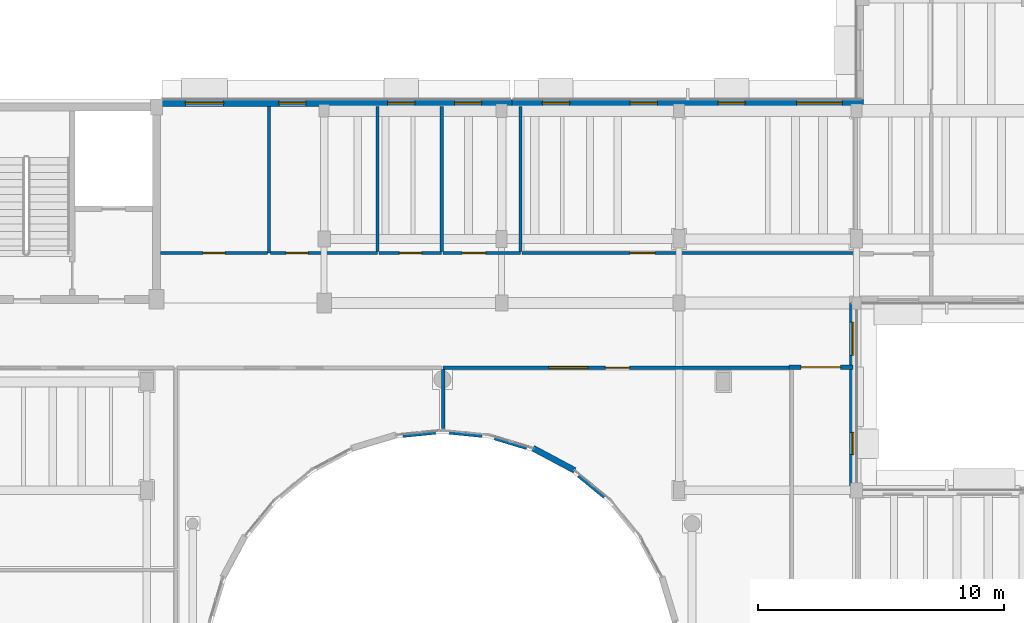
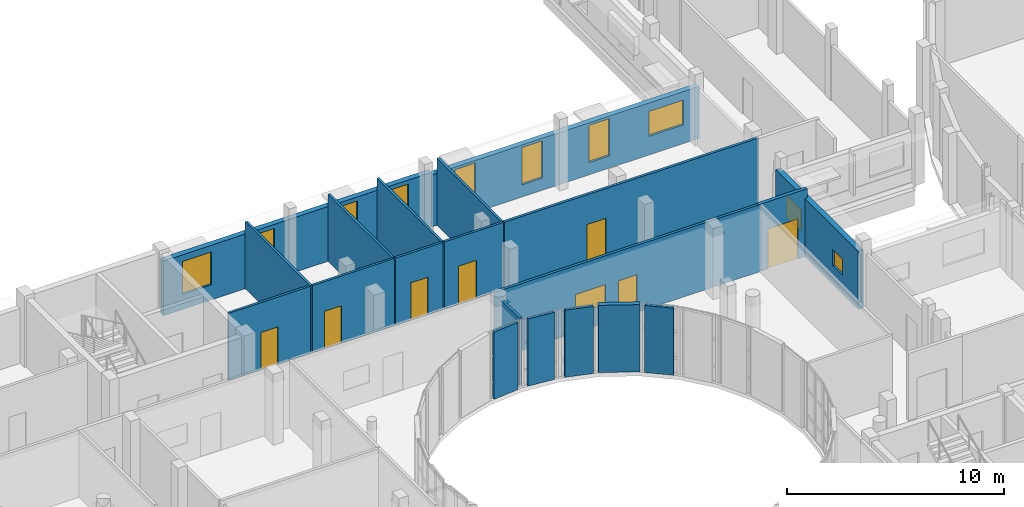
# One storey, part 84 of 105: 20 walls, 11 windows, 7 doors, 18 openings.
"""IFC4 building model written with IfcOpenShell, lengths in metres."""

from ifc_helpers import new_model, si_unit, direction, frame, frame_2d, origin, place, context, subcontext, project, spatial, rectangle, extrude, material, layer, layer_set, type_object, element, fill, save


model = new_model("IFC4")

# Units and contexts
model_context = context("Model", 3, precision=1e-05, world=origin(), true_north=direction((0.0, 1.0)))
body_context = subcontext(model_context, "Body", "Model", "MODEL_VIEW")
ifc_project = project(units=[si_unit("LENGTHUNIT", "METRE"), si_unit("AREAUNIT", "SQUARE_METRE"), si_unit("VOLUMEUNIT", "CUBIC_METRE"), si_unit("PLANEANGLEUNIT", "RADIAN"), si_unit("MASSUNIT", "GRAM", prefix="KILO")], contexts=[model_context])

# Site, building, storey
site_placement = place(None, origin())
site = spatial("IfcSite", under=ifc_project, at=site_placement, CompositionType="ELEMENT")
building_placement = place(site_placement, origin())
building = spatial("IfcBuilding", under=site, at=building_placement, Name="Kelanivale Promenade Academy", CompositionType="ELEMENT")
storey_placement = place(building_placement, frame((0.0, 0.0, 4.199951171875)))
storey = spatial("IfcBuildingStorey", under=building, at=storey_placement, Name="L01", CompositionType="ELEMENT", Elevation=4.199951171875)

# Wall, openings, windows
ifc_material_1 = material(Name="Insulated ivory stucco masonry wall 280 mm", Category="masonry")
ifc_layer_1 = layer(ifc_material_1, 0.280029296875)
ifc_layer_set_1 = layer_set([ifc_layer_1], Name="Insulated ivory stucco masonry wall 280 mm")
wall_type_1 = type_object("IfcWallType", Name="EW-02 Wall 280mm", PredefinedType="SOLIDWALL", material=ifc_layer_set_1)
wall_1_placement = place(storey_placement, frame((115.4599609375, 64.0, 0.0), z_axis=(0.0, 0.0, 1.0), x_axis=(0.0, 1.0, 0.0)))
wall_1 = element("IfcWall", 1, at=wall_1_placement, inside=storey, type_object=wall_type_1, Name="L01 exterior facade wall EW-L01-ORT-0367", PredefinedType="SOLIDWALL", context=body_context, shape_type="SweptSolid", body=[
    extrude(rectangle(XDim=7.60009765625, YDim=0.280029296875, at=frame_2d((3.800048828125, 0.0))), origin(), (0.0, 0.0, 1.0), 3.275146484375),
])
opening_1_placement = place(wall_1_placement, frame((1.449951171875, 0.0, 1.050048828125)))
opening_1 = element("IfcOpeningElement", 2, at=opening_1_placement, cuts=wall_1, Name="Opening WT-10", PredefinedType="OPENING", context=body_context, shape_type="SweptSolid", body=[
    extrude(rectangle(XDim=0.89990234375, YDim=0.89990234375, at=frame_2d((0.449951171875, 0.449951171875))), frame((0.0, 0.14990234375, 0.0), z_axis=(0.0, -1.0, 0.0), x_axis=(1.0, 0.0, 0.0)), (0.0, 0.0, 1.0), 0.300048828125),
])
opening_2_placement = place(wall_1_placement, frame((5.47509765625, 0.0, 1.050048828125)))
opening_2 = element("IfcOpeningElement", 3, at=opening_2_placement, cuts=wall_1, Name="Opening WT-34", PredefinedType="OPENING", context=body_context, shape_type="SweptSolid", body=[
    extrude(rectangle(XDim=1.35009765625, YDim=1.199951171875, at=frame_2d((0.675048828125, 0.60009765625))), frame((0.0, 0.14990234375, 0.0), z_axis=(0.0, -1.0, 0.0), x_axis=(1.0, 0.0, 0.0)), (0.0, 0.0, 1.0), 0.300048828125),
])
ifc_material_2 = material(Name="Bronze anodised aluminium frame with low-E laminated glass", Category="aluminium")
window_type_1 = type_object("IfcWindowType", Name="WT-10 Window 900x900", PartitioningType="SINGLE_PANEL", PredefinedType="WINDOW", material=ifc_material_2)
window_1_placement = place(opening_1_placement, origin())
window_1 = element("IfcWindow", 4, at=window_1_placement, inside=storey, type_object=window_type_1, Name="Window WT-10", OverallHeight=0.89990234375, OverallWidth=0.89990234375, PartitioningType="SINGLE_PANEL", PredefinedType="WINDOW", context=body_context, shape_type="SweptSolid", body=[
    extrude(rectangle(XDim=0.89990234375, YDim=0.89990234375, at=frame_2d((0.449951171875, 0.449951171875))), frame((0.0, 0.030029296875, 0.0), z_axis=(0.0, -1.0, 0.0), x_axis=(1.0, 0.0, 0.0)), (0.0, 0.0, 1.0), 0.06005859375),
])
fill(opening_1, window_1)
window_type_2 = type_object("IfcWindowType", Name="WT-34 Window 1350x1200", PartitioningType="SINGLE_PANEL", PredefinedType="WINDOW", material=ifc_material_2)
window_2_placement = place(opening_2_placement, origin())
window_2 = element("IfcWindow", 5, at=window_2_placement, inside=storey, type_object=window_type_2, Name="Window WT-34", OverallHeight=1.199951171875, OverallWidth=1.35009765625, PartitioningType="SINGLE_PANEL", PredefinedType="WINDOW", context=body_context, shape_type="SweptSolid", body=[
    extrude(rectangle(XDim=1.35009765625, YDim=1.199951171875, at=frame_2d((0.675048828125, 0.60009765625))), frame((0.0, 0.030029296875, 0.0), z_axis=(0.0, -1.0, 0.0), x_axis=(1.0, 0.0, 0.0)), (0.0, 0.0, 1.0), 0.06005859375),
])
fill(opening_2, window_2)

wall_2_placement = place(storey_placement, frame((115.8798828125, 79.7099609375, 0.0), z_axis=(0.0, 0.0, 1.0), x_axis=(-1.0, 0.0, 0.0)))
wall_2 = element("IfcWall", 6, at=wall_2_placement, inside=storey, type_object=wall_type_1, Name="L01 exterior facade wall EW-L01-ORT-0380", PredefinedType="SOLIDWALL", context=body_context, shape_type="SweptSolid", body=[
    extrude(rectangle(XDim=14.2568359375, YDim=0.280029296875, at=frame_2d((7.12841796875, 0.0))), origin(), (0.0, 0.0, 1.0), 2.925048828125),
])
opening_3_placement = place(wall_2_placement, frame((0.85693359375, 0.0, 1.050048828125)))
opening_3 = element("IfcOpeningElement", 7, at=opening_3_placement, cuts=wall_2, Name="Opening WT-36", PredefinedType="OPENING", context=body_context, shape_type="SweptSolid", body=[
    extrude(rectangle(XDim=1.85009765625, YDim=1.39990234375, at=frame_2d((0.925048828125, 0.699951171875))), frame((0.0, 0.14990234375, 0.0), z_axis=(0.0, -1.0, 0.0), x_axis=(1.0, 0.0, 0.0)), (0.0, 0.0, 1.0), 0.300048828125),
])
opening_4_placement = place(wall_2_placement, frame((4.7958984375, 0.0, 0.68505859375)))
opening_4 = element("IfcOpeningElement", 8, at=opening_4_placement, cuts=wall_2, Name="Opening WT-17", PredefinedType="OPENING", context=body_context, shape_type="SweptSolid", body=[
    extrude(rectangle(XDim=1.10009765625, YDim=2.10009765625, at=frame_2d((0.550048828125, 1.050048828125))), frame((0.0, 0.14990234375, 0.0), z_axis=(0.0, -1.0, 0.0), x_axis=(1.0, 0.0, 0.0)), (0.0, 0.0, 1.0), 0.300048828125),
])
opening_5_placement = place(wall_2_placement, frame((8.361083984375, 0.0, 0.68505859375)))
opening_5 = element("IfcOpeningElement", 9, at=opening_5_placement, cuts=wall_2, Name="Opening WT-17", PredefinedType="OPENING", context=body_context, shape_type="SweptSolid", body=[
    extrude(rectangle(XDim=1.10009765625, YDim=2.10009765625, at=frame_2d((0.550048828125, 1.050048828125))), frame((0.0, 0.14990234375, 0.0), z_axis=(0.0, -1.0, 0.0), x_axis=(1.0, 0.0, 0.0)), (0.0, 0.0, 1.0), 0.300048828125),
])
opening_6_placement = place(wall_2_placement, frame((11.925048828125, 0.0, 0.68505859375)))
opening_6 = element("IfcOpeningElement", 10, at=opening_6_placement, cuts=wall_2, Name="Opening WT-17", PredefinedType="OPENING", context=body_context, shape_type="SweptSolid", body=[
    extrude(rectangle(XDim=1.10009765625, YDim=2.10009765625, at=frame_2d((0.550048828125, 1.050048828125))), frame((0.0, 0.14990234375, 0.0), z_axis=(0.0, -1.0, 0.0), x_axis=(1.0, 0.0, 0.0)), (0.0, 0.0, 1.0), 0.300048828125),
])
window_type_3 = type_object("IfcWindowType", Name="WT-17 Window 1100x2100", PartitioningType="SINGLE_PANEL", PredefinedType="WINDOW", material=ifc_material_2)
window_3_placement = place(opening_4_placement, origin())
window_3 = element("IfcWindow", 11, at=window_3_placement, inside=storey, type_object=window_type_3, Name="Window WT-17", OverallHeight=2.10009765625, OverallWidth=1.10009765625, PartitioningType="SINGLE_PANEL", PredefinedType="WINDOW", context=body_context, shape_type="SweptSolid", body=[
    extrude(rectangle(XDim=1.10009765625, YDim=2.10009765625, at=frame_2d((0.550048828125, 1.050048828125))), frame((0.0, 0.030029296875, 0.0), z_axis=(0.0, -1.0, 0.0), x_axis=(1.0, 0.0, 0.0)), (0.0, 0.0, 1.0), 0.06005859375),
])
fill(opening_4, window_3)
window_4_placement = place(opening_5_placement, origin())
window_4 = element("IfcWindow", 12, at=window_4_placement, inside=storey, type_object=window_type_3, Name="Window WT-17", OverallHeight=2.10009765625, OverallWidth=1.10009765625, PartitioningType="SINGLE_PANEL", PredefinedType="WINDOW", context=body_context, shape_type="SweptSolid", body=[
    extrude(rectangle(XDim=1.10009765625, YDim=2.10009765625, at=frame_2d((0.550048828125, 1.050048828125))), frame((0.0, 0.030029296875, 0.0), z_axis=(0.0, -1.0, 0.0), x_axis=(1.0, 0.0, 0.0)), (0.0, 0.0, 1.0), 0.06005859375),
])
fill(opening_5, window_4)
window_5_placement = place(opening_6_placement, origin())
window_5 = element("IfcWindow", 13, at=window_5_placement, inside=storey, type_object=window_type_3, Name="Window WT-17", OverallHeight=2.10009765625, OverallWidth=1.10009765625, PartitioningType="SINGLE_PANEL", PredefinedType="WINDOW", context=body_context, shape_type="SweptSolid", body=[
    extrude(rectangle(XDim=1.10009765625, YDim=2.10009765625, at=frame_2d((0.550048828125, 1.050048828125))), frame((0.0, 0.030029296875, 0.0), z_axis=(0.0, -1.0, 0.0), x_axis=(1.0, 0.0, 0.0)), (0.0, 0.0, 1.0), 0.06005859375),
])
fill(opening_6, window_5)
window_type_4 = type_object("IfcWindowType", Name="WT-36 Window 1850x1400", PartitioningType="SINGLE_PANEL", PredefinedType="WINDOW", material=ifc_material_2)
window_6_placement = place(opening_3_placement, origin())
window_6 = element("IfcWindow", 14, at=window_6_placement, inside=storey, type_object=window_type_4, Name="Window WT-36", OverallHeight=1.39990234375, OverallWidth=1.85009765625, PartitioningType="SINGLE_PANEL", PredefinedType="WINDOW", context=body_context, shape_type="SweptSolid", body=[
    extrude(rectangle(XDim=1.85009765625, YDim=1.39990234375, at=frame_2d((0.925048828125, 0.699951171875))), frame((0.0, 0.030029296875, 0.0), z_axis=(0.0, -1.0, 0.0), x_axis=(1.0, 0.0, 0.0)), (0.0, 0.0, 1.0), 0.06005859375),
])
fill(opening_3, window_6)

wall_3_placement = place(storey_placement, frame((101.623046875, 79.7099609375, 0.0), z_axis=(0.0, 0.0, 1.0), x_axis=(-1.0, 0.0, 0.0)))
wall_3 = element("IfcWall", 15, at=wall_3_placement, inside=storey, type_object=wall_type_1, Name="L01 exterior facade wall EW-L01-ORT-0381", PredefinedType="SOLIDWALL", context=body_context, shape_type="SweptSolid", body=[
    extrude(rectangle(XDim=14.258056640625, YDim=0.280029296875, at=frame_2d((7.12890625, 0.0))), origin(), (0.0, 0.0, 1.0), 3.074951171875),
])
opening_7_placement = place(wall_3_placement, frame((1.23193359375, 0.0, 0.75)))
opening_7 = element("IfcOpeningElement", 16, at=opening_7_placement, cuts=wall_3, Name="Opening WT-17", PredefinedType="OPENING", context=body_context, shape_type="SweptSolid", body=[
    extrude(rectangle(XDim=1.10009765625, YDim=2.10009765625, at=frame_2d((0.550048828125, 1.050048828125))), frame((0.0, 0.14990234375, 0.0), z_axis=(0.0, -1.0, 0.0), x_axis=(1.0, 0.0, 0.0)), (0.0, 0.0, 1.0), 0.300048828125),
])
opening_8_placement = place(wall_3_placement, frame((3.947021484375, 0.0, 0.75)))
opening_8 = element("IfcOpeningElement", 17, at=opening_8_placement, cuts=wall_3, Name="Opening WT-17", PredefinedType="OPENING", context=body_context, shape_type="SweptSolid", body=[
    extrude(rectangle(XDim=1.10009765625, YDim=2.10009765625, at=frame_2d((0.550048828125, 1.050048828125))), frame((0.0, 0.14990234375, 0.0), z_axis=(0.0, -1.0, 0.0), x_axis=(1.0, 0.0, 0.0)), (0.0, 0.0, 1.0), 0.300048828125),
])
opening_9_placement = place(wall_3_placement, frame((8.361083984375, 0.0, 0.75)))
opening_9 = element("IfcOpeningElement", 18, at=opening_9_placement, cuts=wall_3, Name="Opening WT-17", PredefinedType="OPENING", context=body_context, shape_type="SweptSolid", body=[
    extrude(rectangle(XDim=1.10009765625, YDim=2.10009765625, at=frame_2d((0.550048828125, 1.050048828125))), frame((0.0, 0.14990234375, 0.0), z_axis=(0.0, -1.0, 0.0), x_axis=(1.0, 0.0, 0.0)), (0.0, 0.0, 1.0), 0.300048828125),
])
opening_10_placement = place(wall_3_placement, frame((11.700927734375, 0.0, 0.85009765625)))
opening_10 = element("IfcOpeningElement", 19, at=opening_10_placement, cuts=wall_3, Name="Opening WT-31", PredefinedType="OPENING", context=body_context, shape_type="SweptSolid", body=[
    extrude(rectangle(XDim=1.550048828125, YDim=1.85009765625, at=frame_2d((0.77490234375, 0.925048828125))), frame((0.0, 0.14990234375, 0.0), z_axis=(0.0, -1.0, 0.0), x_axis=(1.0, 0.0, 0.0)), (0.0, 0.0, 1.0), 0.300048828125),
])
window_7_placement = place(opening_7_placement, origin())
window_7 = element("IfcWindow", 20, at=window_7_placement, inside=storey, type_object=window_type_3, Name="Window WT-17", OverallHeight=2.10009765625, OverallWidth=1.10009765625, PartitioningType="SINGLE_PANEL", PredefinedType="WINDOW", context=body_context, shape_type="SweptSolid", body=[
    extrude(rectangle(XDim=1.10009765625, YDim=2.10009765625, at=frame_2d((0.550048828125, 1.050048828125))), frame((0.0, 0.030029296875, 0.0), z_axis=(0.0, -1.0, 0.0), x_axis=(1.0, 0.0, 0.0)), (0.0, 0.0, 1.0), 0.06005859375),
])
fill(opening_7, window_7)
window_8_placement = place(opening_8_placement, origin())
window_8 = element("IfcWindow", 21, at=window_8_placement, inside=storey, type_object=window_type_3, Name="Window WT-17", OverallHeight=2.10009765625, OverallWidth=1.10009765625, PartitioningType="SINGLE_PANEL", PredefinedType="WINDOW", context=body_context, shape_type="SweptSolid", body=[
    extrude(rectangle(XDim=1.10009765625, YDim=2.10009765625, at=frame_2d((0.550048828125, 1.050048828125))), frame((0.0, 0.030029296875, 0.0), z_axis=(0.0, -1.0, 0.0), x_axis=(1.0, 0.0, 0.0)), (0.0, 0.0, 1.0), 0.06005859375),
])
fill(opening_8, window_8)
window_9_placement = place(opening_9_placement, origin())
window_9 = element("IfcWindow", 22, at=window_9_placement, inside=storey, type_object=window_type_3, Name="Window WT-17", OverallHeight=2.10009765625, OverallWidth=1.10009765625, PartitioningType="SINGLE_PANEL", PredefinedType="WINDOW", context=body_context, shape_type="SweptSolid", body=[
    extrude(rectangle(XDim=1.10009765625, YDim=2.10009765625, at=frame_2d((0.550048828125, 1.050048828125))), frame((0.0, 0.030029296875, 0.0), z_axis=(0.0, -1.0, 0.0), x_axis=(1.0, 0.0, 0.0)), (0.0, 0.0, 1.0), 0.06005859375),
])
fill(opening_9, window_9)
window_type_5 = type_object("IfcWindowType", Name="WT-31 Window 1550x1850", PartitioningType="SINGLE_PANEL", PredefinedType="WINDOW", material=ifc_material_2)
window_10_placement = place(opening_10_placement, origin())
window_10 = element("IfcWindow", 23, at=window_10_placement, inside=storey, type_object=window_type_5, Name="Window WT-31", OverallHeight=1.85009765625, OverallWidth=1.550048828125, PartitioningType="SINGLE_PANEL", PredefinedType="WINDOW", context=body_context, shape_type="SweptSolid", body=[
    extrude(rectangle(XDim=1.550048828125, YDim=1.85009765625, at=frame_2d((0.77490234375, 0.925048828125))), frame((0.0, 0.030029296875, 0.0), z_axis=(0.0, -1.0, 0.0), x_axis=(1.0, 0.0, 0.0)), (0.0, 0.0, 1.0), 0.06005859375),
])
fill(opening_10, window_10)

# Wall
ifc_material_3 = material(Name="Insulated courtyard stucco masonry wall 240 mm", Category="masonry")
ifc_layer_2 = layer(ifc_material_3, 0.239990234375)
ifc_layer_set_2 = layer_set([ifc_layer_2], Name="Insulated courtyard stucco masonry wall 240 mm")
wall_type_2 = type_object("IfcWallType", Name="EW-04 Wall 240mm", PredefinedType="SOLIDWALL", material=ifc_layer_set_2)
wall_4_placement = place(storey_placement, frame((104.166015625, 64.81005859375, 0.0), z_axis=(0.0, 0.0, 1.0), x_axis=(-0.881893245259, 0.471449153109, 0.0)))
element("IfcWall", 24, at=wall_4_placement, inside=storey, type_object=wall_type_2, Name="L01 round courtyard stucco wall", PredefinedType="SOLIDWALL", context=body_context, shape_type="SweptSolid", body=[
    extrude(rectangle(XDim=1.912841796875, YDim=0.239990234375, at=frame_2d((0.95654296875, 0.0))), origin(), (0.0, 0.0, 1.0), 3.780029296875),
])

# Wall, opening, door
ifc_material_4 = material(Name="Autoclaved masonry blockwork 180 mm", Category="masonry")
ifc_layer_3 = layer(ifc_material_4, 0.179931640625)
ifc_layer_set_3 = layer_set([ifc_layer_3], Name="Autoclaved masonry blockwork 180 mm")
wall_type_3 = type_object("IfcWallType", Name="IW-02 Wall 180mm", PredefinedType="PARTITIONING", material=ifc_layer_set_3)
wall_5_placement = place(storey_placement, frame((112.85009765625, 69.0, 0.0), z_axis=(0.0, 0.0, 1.0), x_axis=(1.0, 0.0, 0.0)))
wall_5 = element("IfcWall", 25, at=wall_5_placement, inside=storey, type_object=wall_type_3, Name="L01 cross-corridor fire wall", PredefinedType="PARTITIONING", context=body_context, shape_type="SweptSolid", body=[
    extrude(rectangle(XDim=2.60888671875, YDim=0.179931640625, at=frame_2d((1.304443359375, 0.0))), origin(), (0.0, 0.0, 1.0), 3.780029296875),
])
opening_11_placement = place(wall_5_placement, frame((0.5048828125, 0.0, 0.0)))
opening_11 = element("IfcOpeningElement", 26, at=opening_11_placement, cuts=wall_5, Name="Opening FD-L01-CC-064", PredefinedType="OPENING", context=body_context, shape_type="SweptSolid", body=[
    extrude(rectangle(XDim=1.60009765625, YDim=2.25, at=frame_2d((0.800048828125, 1.125))), frame((0.0, 0.10009765625, 0.0), z_axis=(0.0, -1.0, 0.0), x_axis=(1.0, 0.0, 0.0)), (0.0, 0.0, 1.0), 0.199951171875),
])
ifc_material_5 = material(Name="Fire-rated steel-core teak veneer", Category="steel")
door_type_1 = type_object("IfcDoorType", Name="DT-F09 Door 1600x2250", OperationType="NOTDEFINED", PredefinedType="DOOR", material=ifc_material_5)
door_1_placement = place(opening_11_placement, origin())
door_1 = element("IfcDoor", 27, at=door_1_placement, inside=storey, type_object=door_type_1, Name="L01 cross-corridor fire door FD-L01-CC-064", OperationType="DOUBLE_DOOR_SINGLE_SWING", OverallHeight=2.25, OverallWidth=1.60009765625, PredefinedType="DOOR", context=body_context, shape_type="SweptSolid", body=[
    extrude(rectangle(XDim=1.60009765625, YDim=2.25, at=frame_2d((0.800048828125, 1.125))), frame((0.0, 0.02490234375, 0.0), z_axis=(0.0, -1.0, 0.0), x_axis=(1.0, 0.0, 0.0)), (0.0, 0.0, 1.0), 0.050048828125),
])
fill(opening_11, door_1)

# Wall, openings, door, window
ifc_material_6 = material(Name="Acoustic double-stud gypsum board partition 140 mm", Category="masonry")
ifc_layer_4 = layer(ifc_material_6, 0.139892578125)
ifc_layer_set_4 = layer_set([ifc_layer_4], Name="Acoustic double-stud gypsum board partition 140 mm")
wall_type_4 = type_object("IfcWallType", Name="IW-04 Wall 140mm", PredefinedType="PARTITIONING", material=ifc_layer_set_4)
wall_6_placement = place(storey_placement, frame((112.969970703125, 68.969970703125, 0.0), z_axis=(0.0, 0.0, 1.0), x_axis=(-1.0, 0.0, 0.0)))
wall_6 = element("IfcWall", 28, at=wall_6_placement, inside=storey, type_object=wall_type_4, Name="L01 partition Language Studio East B", PredefinedType="PARTITIONING", context=body_context, shape_type="SweptSolid", body=[
    extrude(rectangle(XDim=14.139892578125, YDim=0.139892578125, at=frame_2d((7.06982421875, 0.0))), origin(), (0.0, 0.0, 1.0), 3.775146484375),
])
opening_12_placement = place(wall_6_placement, frame((6.580078125, 0.0, 0.0)))
opening_12 = element("IfcOpeningElement", 29, at=opening_12_placement, cuts=wall_6, Name="Opening ID-L01-086", PredefinedType="OPENING", context=body_context, shape_type="SweptSolid", body=[
    extrude(rectangle(XDim=0.97998046875, YDim=2.1201171875, at=frame_2d((0.489990234375, 1.06005859375))), frame((0.0, 0.080078125, 0.0), z_axis=(0.0, -1.0, 0.0), x_axis=(1.0, 0.0, 0.0)), (0.0, 0.0, 1.0), 0.159912109375),
])
opening_13_placement = place(wall_6_placement, frame((8.260009765625, 0.0, 1.050048828125)))
opening_13 = element("IfcOpeningElement", 30, at=opening_13_placement, cuts=wall_6, Name="Opening WT-I01", PredefinedType="OPENING", context=body_context, shape_type="SweptSolid", body=[
    extrude(rectangle(XDim=1.60009765625, YDim=1.10009765625, at=frame_2d((0.800048828125, 0.550048828125))), frame((0.0, 0.080078125, 0.0), z_axis=(0.0, -1.0, 0.0), x_axis=(1.0, 0.0, 0.0)), (0.0, 0.0, 1.0), 0.159912109375),
])
ifc_material_7 = material(Name="Solid-core tropical teak timber", Category="wood")
door_type_2 = type_object("IfcDoorType", Name="DT-I14 Door 980x2120", OperationType="NOTDEFINED", PredefinedType="DOOR", material=ifc_material_7)
door_2_placement = place(opening_12_placement, origin())
door_2 = element("IfcDoor", 31, at=door_2_placement, inside=storey, type_object=door_type_2, Name="Language Studio East B door ID-L01-086", OperationType="SINGLE_SWING_RIGHT", OverallHeight=2.1201171875, OverallWidth=0.97998046875, PredefinedType="DOOR", context=body_context, shape_type="SweptSolid", body=[
    extrude(rectangle(XDim=0.97998046875, YDim=2.1201171875, at=frame_2d((0.489990234375, 1.06005859375))), frame((0.0, 0.02490234375, 0.0), z_axis=(0.0, -1.0, 0.0), x_axis=(1.0, 0.0, 0.0)), (0.0, 0.0, 1.0), 0.050048828125),
])
fill(opening_12, door_2)
window_type_6 = type_object("IfcWindowType", Name="WT-I01 Window 1600x1100", PartitioningType="SINGLE_PANEL", PredefinedType="WINDOW", material=ifc_material_2)
window_11_placement = place(opening_13_placement, origin())
window_11 = element("IfcWindow", 32, at=window_11_placement, inside=storey, type_object=window_type_6, Name="Interior observation window WT-I01", OverallHeight=1.10009765625, OverallWidth=1.60009765625, PartitioningType="SINGLE_PANEL", PredefinedType="WINDOW", context=body_context, shape_type="SweptSolid", body=[
    extrude(rectangle(XDim=1.60009765625, YDim=1.10009765625, at=frame_2d((0.800048828125, 0.550048828125))), frame((0.0, 0.030029296875, 0.0), z_axis=(0.0, -1.0, 0.0), x_axis=(1.0, 0.0, 0.0)), (0.0, 0.0, 1.0), 0.06005859375),
])
fill(opening_13, window_11)

# Walls
wall_7_placement = place(storey_placement, frame((98.830078125, 68.902099609375, 0.0), z_axis=(0.0, 0.0, 1.0), x_axis=(0.0, -1.0, 0.0)))
element("IfcWall", 33, at=wall_7_placement, inside=storey, type_object=wall_type_4, Name="L01 partition Language Studio East B", PredefinedType="PARTITIONING", context=body_context, shape_type="SweptSolid", body=[
    extrude(rectangle(XDim=2.385986328125, YDim=0.139892578125, at=frame_2d((1.19287109375, 0.0))), origin(), (0.0, 0.0, 1.0), 3.775146484375),
])
wall_8_placement = place(storey_placement, frame((99.076904296875, 66.343017578125, 0.0), z_axis=(0.0, 0.0, 1.0), x_axis=(0.995112801185, -0.098744685517, 0.0)))
element("IfcWall", 34, at=wall_8_placement, inside=storey, type_object=wall_type_4, Name="L01 partition Language Studio East B", PredefinedType="PARTITIONING", context=body_context, shape_type="SweptSolid", body=[
    extrude(rectangle(XDim=1.337646484375, YDim=0.139892578125, at=frame_2d((0.6689453125, 0.0))), origin(), (0.0, 0.0, 1.0), 3.775146484375),
])
wall_9_placement = place(storey_placement, frame((100.9150390625, 66.111083984375, 0.0), z_axis=(0.0, 0.0, 1.0), x_axis=(0.956945716193, -0.290266939661, 0.0)))
element("IfcWall", 35, at=wall_9_placement, inside=storey, type_object=wall_type_4, Name="L01 partition Language Studio East B", PredefinedType="PARTITIONING", context=body_context, shape_type="SweptSolid", body=[
    extrude(rectangle(XDim=1.357421875, YDim=0.139892578125, at=frame_2d((0.6787109375, 0.0))), origin(), (0.0, 0.0, 1.0), 3.775146484375),
])
wall_10_placement = place(storey_placement, frame((104.318115234375, 64.593017578125, 0.0), z_axis=(0.0, 0.0, 1.0), x_axis=(0.772890106497, -0.634539898886, 0.0)))
element("IfcWall", 36, at=wall_10_placement, inside=storey, type_object=wall_type_4, Name="L01 partition Language Studio East B", PredefinedType="PARTITIONING", context=body_context, shape_type="SweptSolid", body=[
    extrude(rectangle(XDim=1.35693359375, YDim=0.139892578125, at=frame_2d((0.678466796875, 0.0))), origin(), (0.0, 0.0, 1.0), 3.775146484375),
])
wall_11_placement = place(storey_placement, frame((97.19189453125, 66.2109375, 0.0), z_axis=(0.0, 0.0, 1.0), x_axis=(0.995112801185, 0.098744685517, 0.0)))
element("IfcWall", 37, at=wall_11_placement, inside=storey, type_object=wall_type_4, Name="L01 partition Language Studio Courtyard East-North", PredefinedType="PARTITIONING", context=body_context, shape_type="SweptSolid", body=[
    extrude(rectangle(XDim=1.337646484375, YDim=0.139892578125, at=frame_2d((0.6689453125, 0.0))), origin(), (0.0, 0.0, 1.0), 3.775146484375),
])

# Wall, opening, door
wall_12_placement = place(storey_placement, frame((102.030029296875, 73.6298828125, 0.0), z_axis=(0.0, 0.0, 1.0), x_axis=(1.0, 0.0, 0.0)))
wall_12 = element("IfcWall", 38, at=wall_12_placement, inside=storey, type_object=wall_type_4, Name="L01 partition Junior Classroom North East", PredefinedType="PARTITIONING", context=body_context, shape_type="SweptSolid", body=[
    extrude(rectangle(XDim=13.5400390625, YDim=0.139892578125, at=frame_2d((6.77001953125, 0.0))), origin(), (0.0, 0.0, 1.0), 3.775146484375),
])
opening_14_placement = place(wall_12_placement, frame((4.388916015625, 0.0, 0.0)))
opening_14 = element("IfcOpeningElement", 39, at=opening_14_placement, cuts=wall_12, Name="Opening ID-L01-093", PredefinedType="OPENING", context=body_context, shape_type="SweptSolid", body=[
    extrude(rectangle(XDim=1.0, YDim=2.10009765625, at=frame_2d((0.5, 1.050048828125))), frame((0.0, 0.080078125, 0.0), z_axis=(0.0, -1.0, 0.0), x_axis=(1.0, 0.0, 0.0)), (0.0, 0.0, 1.0), 0.159912109375),
])
door_type_3 = type_object("IfcDoorType", Name="DT-I01 Door 1000x2100", OperationType="NOTDEFINED", PredefinedType="DOOR", material=ifc_material_7)
door_3_placement = place(opening_14_placement, origin())
door_3 = element("IfcDoor", 40, at=door_3_placement, inside=storey, type_object=door_type_3, Name="Junior Classroom North East door ID-L01-093", OperationType="SINGLE_SWING_LEFT", OverallHeight=2.10009765625, OverallWidth=1.0, PredefinedType="DOOR", context=body_context, shape_type="SweptSolid", body=[
    extrude(rectangle(XDim=1.0, YDim=2.10009765625, at=frame_2d((0.5, 1.050048828125))), frame((0.0, 0.02490234375, 0.0), z_axis=(0.0, -1.0, 0.0), x_axis=(1.0, 0.0, 0.0)), (0.0, 0.0, 1.0), 0.050048828125),
])
fill(opening_14, door_3)

# Wall
ifc_material_8 = material(Name="Moisture-resistant masonry wet-room partition 125 mm", Category="masonry")
ifc_layer_5 = layer(ifc_material_8, 0.125)
ifc_layer_set_5 = layer_set([ifc_layer_5], Name="Moisture-resistant masonry wet-room partition 125 mm")
wall_type_5 = type_object("IfcWallType", Name="IW-05 Wall 125mm", PredefinedType="PARTITIONING", material=ifc_layer_set_5)
wall_13_placement = place(storey_placement, frame((91.77001953125, 73.6298828125, 0.0), z_axis=(0.0, 0.0, 1.0), x_axis=(0.0, 1.0, 0.0)))
element("IfcWall", 41, at=wall_13_placement, inside=storey, type_object=wall_type_5, Name="L01 partition Boys Washroom", PredefinedType="PARTITIONING", context=body_context, shape_type="SweptSolid", body=[
    extrude(rectangle(XDim=5.942138671875, YDim=0.125, at=frame_2d((2.97119140625, 0.0))), origin(), (0.0, 0.0, 1.0), 3.775146484375),
])

# Wall, opening, door
wall_14_placement = place(storey_placement, frame((87.363037109375, 73.6298828125, 0.0), z_axis=(0.0, 0.0, 1.0), x_axis=(1.0, 0.0, 0.0)))
wall_14 = element("IfcWall", 42, at=wall_14_placement, inside=storey, type_object=wall_type_5, Name="L01 partition Boys Washroom", PredefinedType="PARTITIONING", context=body_context, shape_type="SweptSolid", body=[
    extrude(rectangle(XDim=4.345947265625, YDim=0.125, at=frame_2d((2.1728515625, 0.0))), origin(), (0.0, 0.0, 1.0), 3.775146484375),
])
opening_15_placement = place(wall_14_placement, frame((1.722900390625, 0.0, 0.0)))
opening_15 = element("IfcOpeningElement", 43, at=opening_15_placement, cuts=wall_14, Name="Opening ID-L01-089", PredefinedType="OPENING", context=body_context, shape_type="SweptSolid", body=[
    extrude(rectangle(XDim=0.89990234375, YDim=2.10009765625, at=frame_2d((0.449951171875, 1.050048828125))), frame((0.0, 0.072509765625, 0.0), z_axis=(0.0, -1.0, 0.0), x_axis=(1.0, 0.0, 0.0)), (0.0, 0.0, 1.0), 0.14501953125),
])
door_type_4 = type_object("IfcDoorType", Name="DT-I06 Door 900x2100", OperationType="NOTDEFINED", PredefinedType="DOOR", material=ifc_material_7)
door_4_placement = place(opening_15_placement, origin())
door_4 = element("IfcDoor", 44, at=door_4_placement, inside=storey, type_object=door_type_4, Name="Boys Washroom door ID-L01-089", OperationType="SINGLE_SWING_LEFT", OverallHeight=2.10009765625, OverallWidth=0.89990234375, PredefinedType="DOOR", context=body_context, shape_type="SweptSolid", body=[
    extrude(rectangle(XDim=0.89990234375, YDim=2.10009765625, at=frame_2d((0.449951171875, 1.050048828125))), frame((0.0, 0.02490234375, 0.0), z_axis=(0.0, -1.0, 0.0), x_axis=(1.0, 0.0, 0.0)), (0.0, 0.0, 1.0), 0.050048828125),
])
fill(opening_15, door_4)

wall_15_placement = place(storey_placement, frame((91.8310546875, 73.6298828125, 0.0), z_axis=(0.0, 0.0, 1.0), x_axis=(1.0, 0.0, 0.0)))
wall_15 = element("IfcWall", 45, at=wall_15_placement, inside=storey, type_object=wall_type_5, Name="L01 partition Girls Washroom", PredefinedType="PARTITIONING", context=body_context, shape_type="SweptSolid", body=[
    extrude(rectangle(XDim=4.3388671875, YDim=0.125, at=frame_2d((2.16943359375, 0.0))), origin(), (0.0, 0.0, 1.0), 3.775146484375),
])
opening_16_placement = place(wall_15_placement, frame((0.618896484375, 0.0, 0.0)))
opening_16 = element("IfcOpeningElement", 46, at=opening_16_placement, cuts=wall_15, Name="Opening ID-L01-090", PredefinedType="OPENING", context=body_context, shape_type="SweptSolid", body=[
    extrude(rectangle(XDim=0.89990234375, YDim=2.10009765625, at=frame_2d((0.449951171875, 1.050048828125))), frame((0.0, 0.072509765625, 0.0), z_axis=(0.0, -1.0, 0.0), x_axis=(1.0, 0.0, 0.0)), (0.0, 0.0, 1.0), 0.14501953125),
])
door_5_placement = place(opening_16_placement, origin())
door_5 = element("IfcDoor", 47, at=door_5_placement, inside=storey, type_object=door_type_4, Name="Girls Washroom door ID-L01-090", OperationType="SINGLE_SWING_RIGHT", OverallHeight=2.10009765625, OverallWidth=0.89990234375, PredefinedType="DOOR", context=body_context, shape_type="SweptSolid", body=[
    extrude(rectangle(XDim=0.89990234375, YDim=2.10009765625, at=frame_2d((0.449951171875, 1.050048828125))), frame((0.0, 0.02490234375, 0.0), z_axis=(0.0, -1.0, 0.0), x_axis=(1.0, 0.0, 0.0)), (0.0, 0.0, 1.0), 0.050048828125),
])
fill(opening_16, door_5)

# Wall
wall_16_placement = place(storey_placement, frame((96.169921875, 73.69091796875, 0.0), z_axis=(0.0, 0.0, 1.0), x_axis=(0.0, 1.0, 0.0)))
element("IfcWall", 48, at=wall_16_placement, inside=storey, type_object=wall_type_5, Name="L01 partition Girls Washroom", PredefinedType="PARTITIONING", context=body_context, shape_type="SweptSolid", body=[
    extrude(rectangle(XDim=5.881103515625, YDim=0.125, at=frame_2d((2.9404296875, 0.0))), origin(), (0.0, 0.0, 1.0), 3.775146484375),
])

# Wall, opening, door
wall_17_placement = place(storey_placement, frame((96.22998046875, 73.6298828125, 0.0), z_axis=(0.0, 0.0, 1.0), x_axis=(1.0, 0.0, 0.0)))
wall_17 = element("IfcWall", 49, at=wall_17_placement, inside=storey, type_object=wall_type_5, Name="L01 partition Staff Washroom", PredefinedType="PARTITIONING", context=body_context, shape_type="SweptSolid", body=[
    extrude(rectangle(XDim=2.5400390625, YDim=0.125, at=frame_2d((1.27001953125, 0.0))), origin(), (0.0, 0.0, 1.0), 3.775146484375),
])
opening_17_placement = place(wall_17_placement, frame((0.820068359375, 0.0, 0.0)))
opening_17 = element("IfcOpeningElement", 50, at=opening_17_placement, cuts=wall_17, Name="Opening ID-L01-091", PredefinedType="OPENING", context=body_context, shape_type="SweptSolid", body=[
    extrude(rectangle(XDim=0.89990234375, YDim=2.10009765625, at=frame_2d((0.449951171875, 1.050048828125))), frame((0.0, 0.072509765625, 0.0), z_axis=(0.0, -1.0, 0.0), x_axis=(1.0, 0.0, 0.0)), (0.0, 0.0, 1.0), 0.14501953125),
])
door_6_placement = place(opening_17_placement, origin())
door_6 = element("IfcDoor", 51, at=door_6_placement, inside=storey, type_object=door_type_4, Name="Staff Washroom door ID-L01-091", OperationType="SINGLE_SWING_LEFT", OverallHeight=2.10009765625, OverallWidth=0.89990234375, PredefinedType="DOOR", context=body_context, shape_type="SweptSolid", body=[
    extrude(rectangle(XDim=0.89990234375, YDim=2.10009765625, at=frame_2d((0.449951171875, 1.050048828125))), frame((0.0, 0.02490234375, 0.0), z_axis=(0.0, -1.0, 0.0), x_axis=(1.0, 0.0, 0.0)), (0.0, 0.0, 1.0), 0.050048828125),
])
fill(opening_17, door_6)

# Wall
wall_18_placement = place(storey_placement, frame((98.77001953125, 73.69091796875, 0.0), z_axis=(0.0, 0.0, 1.0), x_axis=(0.0, 1.0, 0.0)))
element("IfcWall", 52, at=wall_18_placement, inside=storey, type_object=wall_type_5, Name="L01 partition Staff Washroom", PredefinedType="PARTITIONING", context=body_context, shape_type="SweptSolid", body=[
    extrude(rectangle(XDim=5.881103515625, YDim=0.125, at=frame_2d((2.9404296875, 0.0))), origin(), (0.0, 0.0, 1.0), 3.775146484375),
])

# Wall, opening, door
wall_19_placement = place(storey_placement, frame((98.830078125, 73.6298828125, 0.0), z_axis=(0.0, 0.0, 1.0), x_axis=(1.0, 0.0, 0.0)))
wall_19 = element("IfcWall", 53, at=wall_19_placement, inside=storey, type_object=wall_type_5, Name="L01 partition Wheelchair Accessible WC", PredefinedType="PARTITIONING", context=body_context, shape_type="SweptSolid", body=[
    extrude(rectangle(XDim=3.139892578125, YDim=0.125, at=frame_2d((1.56982421875, 0.0))), origin(), (0.0, 0.0, 1.0), 3.775146484375),
])
opening_18_placement = place(wall_19_placement, frame((0.76708984375, 0.0, 0.0)))
opening_18 = element("IfcOpeningElement", 54, at=opening_18_placement, cuts=wall_19, Name="Opening ID-L01-092", PredefinedType="OPENING", context=body_context, shape_type="SweptSolid", body=[
    extrude(rectangle(XDim=0.949951171875, YDim=2.14990234375, at=frame_2d((0.47509765625, 1.074951171875))), frame((0.0, 0.072509765625, 0.0), z_axis=(0.0, -1.0, 0.0), x_axis=(1.0, 0.0, 0.0)), (0.0, 0.0, 1.0), 0.14501953125),
])
door_type_5 = type_object("IfcDoorType", Name="DT-I05 Door 950x2150", OperationType="NOTDEFINED", PredefinedType="DOOR", material=ifc_material_7)
door_7_placement = place(opening_18_placement, frame((0.949951171875, 0.0, 0.0), z_axis=(0.0, 0.0, 1.0), x_axis=(-1.0, 0.0, 0.0)))
door_7 = element("IfcDoor", 55, at=door_7_placement, inside=storey, type_object=door_type_5, Name="Wheelchair Accessible WC door ID-L01-092", OperationType="SINGLE_SWING_RIGHT", OverallHeight=2.14990234375, OverallWidth=0.949951171875, PredefinedType="DOOR", context=body_context, shape_type="SweptSolid", body=[
    extrude(rectangle(XDim=0.949951171875, YDim=2.14990234375, at=frame_2d((0.47509765625, 1.074951171875))), frame((0.0, 0.02490234375, 0.0), z_axis=(0.0, -1.0, 0.0), x_axis=(1.0, 0.0, 0.0)), (0.0, 0.0, 1.0), 0.050048828125),
])
fill(opening_18, door_7)

# Wall
wall_20_placement = place(storey_placement, frame((101.969970703125, 73.69091796875, 0.0), z_axis=(0.0, 0.0, 1.0), x_axis=(0.0, 1.0, 0.0)))
element("IfcWall", 56, at=wall_20_placement, inside=storey, type_object=wall_type_5, Name="L01 partition Wheelchair Accessible WC", PredefinedType="PARTITIONING", context=body_context, shape_type="SweptSolid", body=[
    extrude(rectangle(XDim=5.881103515625, YDim=0.125, at=frame_2d((2.9404296875, 0.0))), origin(), (0.0, 0.0, 1.0), 3.775146484375),
])

save(model, "model.ifc")
